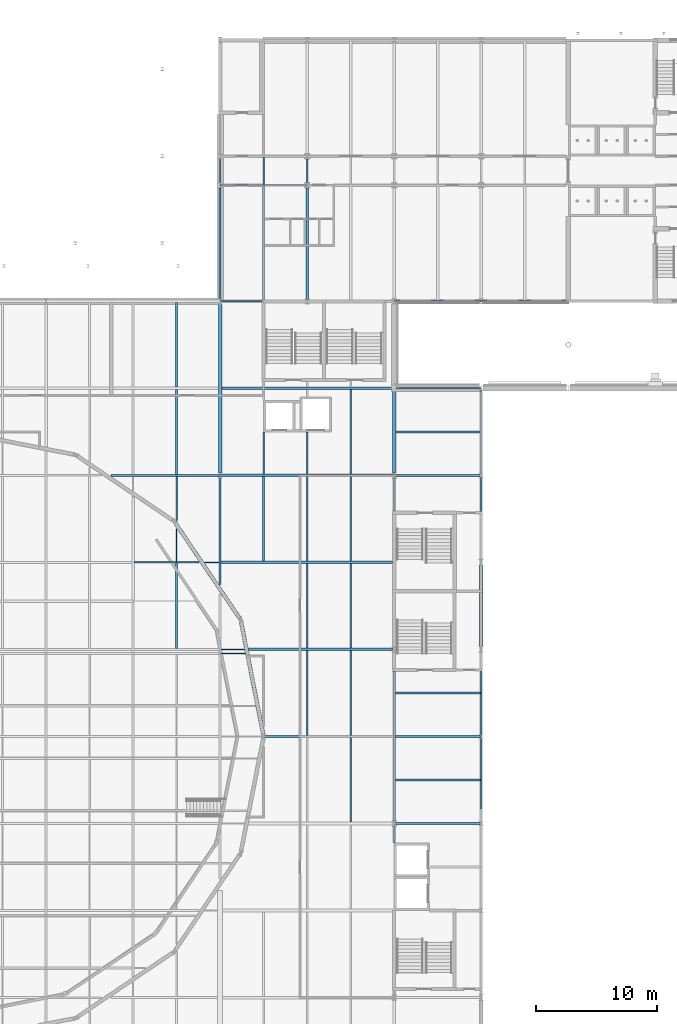
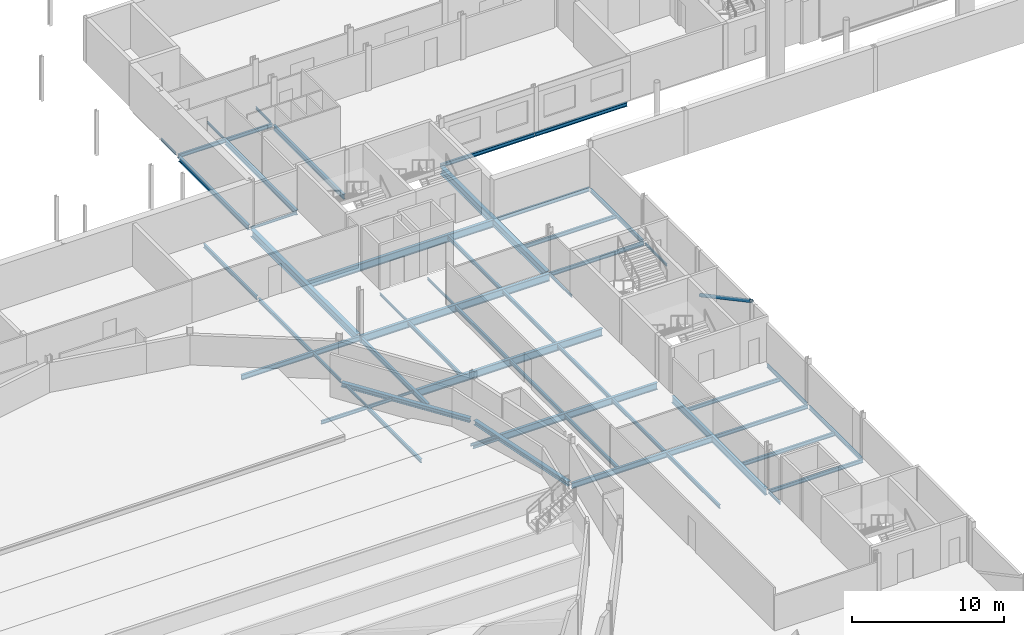
# One storey, part 35 of 90: 55 beams, 1 member.
"""IFC4 building model written with IfcOpenShell, lengths in metres."""

from ifc_helpers import new_model, si_unit, direction, frame, origin, origin_2d, place, context, subcontext, project, spatial, hollow_circle, i_section, extrude, material, material_profile, profile_set, type_object, element, save


model = new_model("IFC4")

# Units and contexts
model_context = context("Model", 3, precision=1e-05, world=origin(), true_north=direction((0.0, 1.0)))
body_context = subcontext(model_context, "Body", "Model", "MODEL_VIEW")
ifc_project = project(units=[si_unit("LENGTHUNIT", "METRE"), si_unit("AREAUNIT", "SQUARE_METRE"), si_unit("VOLUMEUNIT", "CUBIC_METRE"), si_unit("PLANEANGLEUNIT", "RADIAN"), si_unit("MASSUNIT", "GRAM", prefix="KILO")], contexts=[model_context])

# Site, building, storey
site_placement = place(None, origin())
site = spatial("IfcSite", under=ifc_project, at=site_placement, CompositionType="ELEMENT")
building_placement = place(site_placement, origin())
building = spatial("IfcBuilding", under=site, at=building_placement, Name="Kupolbacken Congress Centre", CompositionType="ELEMENT")
storey_placement = place(building_placement, frame((0.0, 0.0, 3.60009765625)))
storey = spatial("IfcBuildingStorey", under=building, at=storey_placement, Name="L01", CompositionType="ELEMENT", Elevation=3.60009765625)

# Beams
ifc_material_1 = material(Name="Steel S355", Category="steel")
ifc_material_profile_1 = material_profile(ifc_material_1, i_section(OverallWidth=0.10009765625, OverallDepth=0.199951171875, WebThickness=0.005615234375, FlangeThickness=0.008544921875, FilletRadius=0.011962890625, at=origin_2d()), Name="IPE 200")
ifc_profile_set_1 = profile_set([ifc_material_profile_1], Name="Steel S355")
beam_type_1 = type_object("IfcBeamType", Name="B01 beam IPE 200", PredefinedType="BEAM", material=ifc_profile_set_1)
beam_1_placement = place(storey_placement, frame((79.199951171875, 77.60009765625, -0.2900390625), z_axis=(0.0, 1.0, 0.0), x_axis=(-1.0, 0.0, 0.0)))
element("IfcBeam", 1, at=beam_1_placement, inside=storey, type_object=beam_type_1, Name="S/floor/P/L01/G034", PredefinedType="BEAM", context=body_context, shape_type="SweptSolid", body=[
    extrude(i_section(OverallWidth=0.10009765625, OverallDepth=0.199951171875, WebThickness=0.005615234375, FlangeThickness=0.008544921875, FilletRadius=0.011962890625, at=origin_2d()), origin(), (0.0, 0.0, 1.0), 1.375),
])
beam_2_placement = place(storey_placement, frame((79.199951171875, 105.050048828125, -0.2900390625), z_axis=(0.0, 1.0, 0.0), x_axis=(-1.0, 0.0, 0.0)))
element("IfcBeam", 2, at=beam_2_placement, inside=storey, type_object=beam_type_1, Name="S/floor/P/L01/G036", PredefinedType="BEAM", context=body_context, shape_type="SweptSolid", body=[
    extrude(i_section(OverallWidth=0.10009765625, OverallDepth=0.199951171875, WebThickness=0.005615234375, FlangeThickness=0.008544921875, FilletRadius=0.011962890625, at=origin_2d()), origin(), (0.0, 0.0, 1.0), 2.724853515625),
])
beam_3_placement = place(storey_placement, frame((63.50927734375, 100.800048828125, -0.2900390625), z_axis=(1.0, 0.0, 0.0), x_axis=(0.0, 1.0, 0.0)))
element("IfcBeam", 3, at=beam_3_placement, inside=storey, type_object=beam_type_1, Name="S/floor/P/L01/R059", PredefinedType="BEAM", context=body_context, shape_type="SweptSolid", body=[
    extrude(i_section(OverallWidth=0.10009765625, OverallDepth=0.199951171875, WebThickness=0.005615234375, FlangeThickness=0.008544921875, FilletRadius=0.011962890625, at=origin_2d()), origin(), (0.0, 0.0, 1.0), 1.20068359375),
])
beam_4_placement = place(storey_placement, frame((64.806884765625, 122.39990234375, -0.2900390625), z_axis=(1.0, 0.0, 0.0), x_axis=(0.0, 1.0, 0.0)))
element("IfcBeam", 4, at=beam_4_placement, inside=storey, type_object=beam_type_1, Name="S/floor/P/L01/R074", PredefinedType="BEAM", context=body_context, shape_type="SweptSolid", body=[
    extrude(i_section(OverallWidth=0.10009765625, OverallDepth=0.199951171875, WebThickness=0.005615234375, FlangeThickness=0.008544921875, FilletRadius=0.011962890625, at=origin_2d()), origin(), (0.0, 0.0, 1.0), 3.468017578125),
])
for number, where, z_axis, x_axis, name in (
    (5, (72.0, 108.110107421875, -0.2900390625), (0.0, 1.0, 0.0), (-1.0, 0.0, 0.0), "S/floor/P/L01/S148"),
    (6, (68.39990234375, 108.110107421875, -0.2900390625), (0.0, 1.0, 0.0), (-1.0, 0.0, 0.0), "S/floor/P/L01/S174"),
):
    element("IfcBeam", number, at=place(storey_placement, frame(where, z_axis=z_axis, x_axis=x_axis)), inside=storey, type_object=beam_type_1, Name=name, PredefinedType="BEAM", context=body_context, shape_type="SweptSolid", body=[
        extrude(i_section(OverallWidth=0.10009765625, OverallDepth=0.199951171875, WebThickness=0.005615234375, FlangeThickness=0.008544921875, FilletRadius=0.011962890625, at=origin_2d()), origin(), (0.0, 0.0, 1.0), 3.489990234375),
    ])
beam_5_placement = place(storey_placement, frame((64.875, 93.60009765625, -0.2900390625), z_axis=(1.0, 0.0, 0.0), x_axis=(0.0, 1.0, 0.0)))
element("IfcBeam", 7, at=beam_5_placement, inside=storey, type_object=beam_type_1, Name="S/floor/PL/L01/R041", PredefinedType="BEAM", context=body_context, shape_type="SweptSolid", body=[
    extrude(i_section(OverallWidth=0.10009765625, OverallDepth=0.199951171875, WebThickness=0.005615234375, FlangeThickness=0.008544921875, FilletRadius=0.011962890625, at=origin_2d()), origin(), (0.0, 0.0, 1.0), 1.944580078125),
])
beam_6_placement = place(storey_placement, frame((64.875, 93.261962890625, -0.2900390625), z_axis=(1.0, 0.0, 0.0), x_axis=(0.0, 1.0, 0.0)))
element("IfcBeam", 8, at=beam_6_placement, inside=storey, type_object=beam_type_1, Name="S/floor/PL/L01/R059", PredefinedType="BEAM", context=body_context, shape_type="SweptSolid", body=[
    extrude(i_section(OverallWidth=0.10009765625, OverallDepth=0.199951171875, WebThickness=0.005615234375, FlangeThickness=0.008544921875, FilletRadius=0.011962890625, at=origin_2d()), origin(), (0.0, 0.0, 1.0), 2.01123046875),
])
beam_7_placement = place(storey_placement, frame((61.199951171875, 100.867431640625, -0.2900390625), z_axis=(0.0, 1.0, 0.0), x_axis=(-1.0, 0.0, 0.0)))
element("IfcBeam", 9, at=beam_7_placement, inside=storey, type_object=beam_type_1, Name="S/floor/PL/L01/S175", PredefinedType="BEAM", context=body_context, shape_type="SweptSolid", body=[
    extrude(i_section(OverallWidth=0.10009765625, OverallDepth=0.199951171875, WebThickness=0.005615234375, FlangeThickness=0.008544921875, FilletRadius=0.011962890625, at=origin_2d()), origin(), (0.0, 0.0, 1.0), 2.69384765625),
])
beam_8_placement = place(storey_placement, frame((86.39990234375, 105.0, -0.280029296875), z_axis=(0.0, 1.0, 0.0), x_axis=(-1.0, 0.0, 0.0)))
element("IfcBeam", 10, at=beam_8_placement, inside=storey, type_object=beam_type_1, Name="S/floor/LINK/L01/E008", PredefinedType="BEAM", context=body_context, shape_type="SweptSolid", body=[
    extrude(i_section(OverallWidth=0.10009765625, OverallDepth=0.199951171875, WebThickness=0.005615234375, FlangeThickness=0.008544921875, FilletRadius=0.011962890625, at=origin_2d()), origin(), (0.0, 0.0, 1.0), 2.85498046875),
])
beam_9_placement = place(storey_placement, frame((64.800048828125, 132.22509765625, -0.280029296875), z_axis=(0.0, 1.0, 0.0), x_axis=(-1.0, 0.0, 0.0)))
element("IfcBeam", 11, at=beam_9_placement, inside=storey, type_object=beam_type_1, Name="S/floor/T/L01/S032", PredefinedType="BEAM", context=body_context, shape_type="SweptSolid", body=[
    extrude(i_section(OverallWidth=0.10009765625, OverallDepth=0.199951171875, WebThickness=0.005615234375, FlangeThickness=0.008544921875, FilletRadius=0.011962890625, at=origin_2d()), origin(), (0.0, 0.0, 1.0), 1.949951171875),
])
beam_10_placement = place(storey_placement, frame((68.39990234375, 132.074951171875, -0.280029296875), z_axis=(0.0, 1.0, 0.0), x_axis=(-1.0, 0.0, 0.0)))
element("IfcBeam", 12, at=beam_10_placement, inside=storey, type_object=beam_type_1, Name="S/floor/T/L01/S035", PredefinedType="BEAM", context=body_context, shape_type="SweptSolid", body=[
    extrude(i_section(OverallWidth=0.10009765625, OverallDepth=0.199951171875, WebThickness=0.005615234375, FlangeThickness=0.008544921875, FilletRadius=0.011962890625, at=origin_2d()), origin(), (0.0, 0.0, 1.0), 2.25),
])
beam_11_placement = place(storey_placement, frame((72.0, 132.21240234375, -0.280029296875), z_axis=(0.0, 1.0, 0.0), x_axis=(-1.0, 0.0, 0.0)))
element("IfcBeam", 13, at=beam_11_placement, inside=storey, type_object=beam_type_1, Name="S/floor/T/L01/S038", PredefinedType="BEAM", context=body_context, shape_type="SweptSolid", body=[
    extrude(i_section(OverallWidth=0.10009765625, OverallDepth=0.199951171875, WebThickness=0.005615234375, FlangeThickness=0.008544921875, FilletRadius=0.011962890625, at=origin_2d()), origin(), (0.0, 0.0, 1.0), 1.97509765625),
])
ifc_material_2 = material(Name="Steel S355", Category="steel")
ifc_material_profile_2 = material_profile(ifc_material_2, i_section(OverallWidth=0.135009765625, OverallDepth=0.27001953125, WebThickness=0.006591796875, FlangeThickness=0.01025390625, FilletRadius=0.014892578125, at=origin_2d()), Name="IPE 270")
ifc_profile_set_2 = profile_set([ifc_material_profile_2], Name="Steel S355")
beam_type_2 = type_object("IfcBeamType", Name="B03 beam IPE 270", PredefinedType="BEAM", material=ifc_profile_set_2)
beam_12_placement = place(storey_placement, frame((61.199951171875, 104.271728515625, -0.3251953125), z_axis=(0.0, 1.0, 0.0), x_axis=(-1.0, 0.0, 0.0)))
element("IfcBeam", 14, at=beam_12_placement, inside=storey, type_object=beam_type_2, Name="S/floor/P/L01/S137", PredefinedType="BEAM", context=body_context, shape_type="SweptSolid", body=[
    extrude(i_section(OverallWidth=0.135009765625, OverallDepth=0.27001953125, WebThickness=0.006591796875, FlangeThickness=0.01025390625, FilletRadius=0.014892578125, at=origin_2d()), origin(), (0.0, 0.0, 1.0), 3.63818359375),
])
beam_13_placement = place(storey_placement, frame((57.675048828125, 100.800048828125, -0.3251953125), z_axis=(1.0, 0.0, 0.0), x_axis=(0.0, 1.0, 0.0)))
element("IfcBeam", 15, at=beam_13_placement, inside=storey, type_object=beam_type_2, Name="S/floor/PL/L01/R047", PredefinedType="BEAM", context=body_context, shape_type="SweptSolid", body=[
    extrude(i_section(OverallWidth=0.135009765625, OverallDepth=0.27001953125, WebThickness=0.006591796875, FlangeThickness=0.01025390625, FilletRadius=0.014892578125, at=origin_2d()), origin(), (0.0, 0.0, 1.0), 5.392822265625),
])
beam_14_placement = place(storey_placement, frame((86.39990234375, 86.544921875, -0.315185546875), z_axis=(0.0, 1.0, 0.0), x_axis=(-1.0, 0.0, 0.0)))
element("IfcBeam", 16, at=beam_14_placement, inside=storey, type_object=beam_type_2, Name="S/floor/LINK/L01/E007", PredefinedType="BEAM", context=body_context, shape_type="SweptSolid", body=[
    extrude(i_section(OverallWidth=0.135009765625, OverallDepth=0.27001953125, WebThickness=0.006591796875, FlangeThickness=0.01025390625, FilletRadius=0.014892578125, at=origin_2d()), origin(), (0.0, 0.0, 1.0), 5.255126953125),
])
ifc_material_3 = material(Name="Steel S355", Category="steel")
ifc_material_profile_3 = material_profile(ifc_material_3, i_section(OverallWidth=0.14990234375, OverallDepth=0.300048828125, WebThickness=0.007080078125, FlangeThickness=0.0107421875, FilletRadius=0.014892578125, at=origin_2d()), Name="IPE 300")
ifc_profile_set_3 = profile_set([ifc_material_profile_3], Name="Steel S355")
beam_type_3 = type_object("IfcBeamType", Name="B04 beam IPE 300", PredefinedType="BEAM", material=ifc_profile_set_3)
beam_15_placement = place(storey_placement, frame((61.199951171875, 108.090087890625, -0.340087890625), z_axis=(0.0, 1.0, 0.0), x_axis=(-1.0, 0.0, 0.0)))
element("IfcBeam", 17, at=beam_15_placement, inside=storey, type_object=beam_type_3, Name="S/floor/P/L01/S138", PredefinedType="BEAM", context=body_context, shape_type="SweptSolid", body=[
    extrude(i_section(OverallWidth=0.14990234375, OverallDepth=0.300048828125, WebThickness=0.007080078125, FlangeThickness=0.0107421875, FilletRadius=0.014892578125, at=origin_2d()), origin(), (0.0, 0.0, 1.0), 7.0),
])
beam_16_placement = place(storey_placement, frame((61.199951171875, 115.31005859375, -0.340087890625), z_axis=(0.0, 1.0, 0.0), x_axis=(-1.0, 0.0, 0.0)))
element("IfcBeam", 18, at=beam_16_placement, inside=storey, type_object=beam_type_3, Name="S/floor/P/L01/S139", PredefinedType="BEAM", context=body_context, shape_type="SweptSolid", body=[
    extrude(i_section(OverallWidth=0.14990234375, OverallDepth=0.300048828125, WebThickness=0.007080078125, FlangeThickness=0.0107421875, FilletRadius=0.014892578125, at=origin_2d()), origin(), (0.0, 0.0, 1.0), 6.97998046875),
])
beam_17_placement = place(storey_placement, frame((72.0, 86.4951171875, -0.340087890625), z_axis=(0.0, 1.0, 0.0), x_axis=(-1.0, 0.0, 0.0)))
element("IfcBeam", 19, at=beam_17_placement, inside=storey, type_object=beam_type_3, Name="S/floor/P/L01/S145", PredefinedType="BEAM", context=body_context, shape_type="SweptSolid", body=[
    extrude(i_section(OverallWidth=0.14990234375, OverallDepth=0.300048828125, WebThickness=0.007080078125, FlangeThickness=0.0107421875, FilletRadius=0.014892578125, at=origin_2d()), origin(), (0.0, 0.0, 1.0), 7.0),
])
beam_18_placement = place(storey_placement, frame((72.0, 93.705078125, -0.340087890625), z_axis=(0.0, 1.0, 0.0), x_axis=(-1.0, 0.0, 0.0)))
element("IfcBeam", 20, at=beam_18_placement, inside=storey, type_object=beam_type_3, Name="S/floor/P/L01/S146", PredefinedType="BEAM", context=body_context, shape_type="SweptSolid", body=[
    extrude(i_section(OverallWidth=0.14990234375, OverallDepth=0.300048828125, WebThickness=0.007080078125, FlangeThickness=0.0107421875, FilletRadius=0.014892578125, at=origin_2d()), origin(), (0.0, 0.0, 1.0), 6.98486328125),
])
beam_19_placement = place(storey_placement, frame((72.0, 100.909912109375, -0.340087890625), z_axis=(0.0, 1.0, 0.0), x_axis=(-1.0, 0.0, 0.0)))
element("IfcBeam", 21, at=beam_19_placement, inside=storey, type_object=beam_type_3, Name="S/floor/P/L01/S147", PredefinedType="BEAM", context=body_context, shape_type="SweptSolid", body=[
    extrude(i_section(OverallWidth=0.14990234375, OverallDepth=0.300048828125, WebThickness=0.007080078125, FlangeThickness=0.0107421875, FilletRadius=0.014892578125, at=origin_2d()), origin(), (0.0, 0.0, 1.0), 6.97998046875),
])
for number, where, z_axis, x_axis, name in (
    (22, (75.60009765625, 79.304931640625, -0.340087890625), (0.0, 1.0, 0.0), (-1.0, 0.0, 0.0), "S/floor/P/L01/S155"),
    (23, (75.60009765625, 86.4951171875, -0.340087890625), (0.0, 1.0, 0.0), (-1.0, 0.0, 0.0), "S/floor/P/L01/S156"),
):
    element("IfcBeam", number, at=place(storey_placement, frame(where, z_axis=z_axis, x_axis=x_axis)), inside=storey, type_object=beam_type_3, Name=name, PredefinedType="BEAM", context=body_context, shape_type="SweptSolid", body=[
        extrude(i_section(OverallWidth=0.14990234375, OverallDepth=0.300048828125, WebThickness=0.007080078125, FlangeThickness=0.0107421875, FilletRadius=0.014892578125, at=origin_2d()), origin(), (0.0, 0.0, 1.0), 7.0),
    ])
beam_20_placement = place(storey_placement, frame((75.60009765625, 93.705078125, -0.340087890625), z_axis=(0.0, 1.0, 0.0), x_axis=(-1.0, 0.0, 0.0)))
element("IfcBeam", 24, at=beam_20_placement, inside=storey, type_object=beam_type_3, Name="S/floor/P/L01/S157", PredefinedType="BEAM", context=body_context, shape_type="SweptSolid", body=[
    extrude(i_section(OverallWidth=0.14990234375, OverallDepth=0.300048828125, WebThickness=0.007080078125, FlangeThickness=0.0107421875, FilletRadius=0.014892578125, at=origin_2d()), origin(), (0.0, 0.0, 1.0), 6.98486328125),
])
for number, where, z_axis, x_axis, name in (
    (25, (75.60009765625, 100.909912109375, -0.340087890625), (0.0, 1.0, 0.0), (-1.0, 0.0, 0.0), "S/floor/P/L01/S158"),
    (26, (75.60009765625, 108.110107421875, -0.340087890625), (0.0, 1.0, 0.0), (-1.0, 0.0, 0.0), "S/floor/P/L01/S159"),
    (27, (68.39990234375, 100.909912109375, -0.340087890625), (0.0, 1.0, 0.0), (-1.0, 0.0, 0.0), "S/floor/P/L01/S173"),
):
    element("IfcBeam", number, at=place(storey_placement, frame(where, z_axis=z_axis, x_axis=x_axis)), inside=storey, type_object=beam_type_3, Name=name, PredefinedType="BEAM", context=body_context, shape_type="SweptSolid", body=[
        extrude(i_section(OverallWidth=0.14990234375, OverallDepth=0.300048828125, WebThickness=0.007080078125, FlangeThickness=0.0107421875, FilletRadius=0.014892578125, at=origin_2d()), origin(), (0.0, 0.0, 1.0), 6.97998046875),
    ])
beam_21_placement = place(storey_placement, frame((61.199951171875, 93.675048828125, -0.340087890625), z_axis=(0.0, 1.0, 0.0), x_axis=(-1.0, 0.0, 0.0)))
element("IfcBeam", 28, at=beam_21_placement, inside=storey, type_object=beam_type_3, Name="S/floor/PL/L01/S174", PredefinedType="BEAM", context=body_context, shape_type="SweptSolid", body=[
    extrude(i_section(OverallWidth=0.14990234375, OverallDepth=0.300048828125, WebThickness=0.007080078125, FlangeThickness=0.0107421875, FilletRadius=0.014892578125, at=origin_2d()), origin(), (0.0, 0.0, 1.0), 7.057373046875),
])
for number, where, z_axis, x_axis, name in (
    (29, (86.39990234375, 79.344970703125, -0.330078125), (0.0, 1.0, 0.0), (-1.0, 0.0, 0.0), "S/floor/LINK/L01/E006"),
    (30, (86.39990234375, 108.14501953125, -0.330078125), (0.0, 1.0, 0.0), (-1.0, 0.0, 0.0), "S/floor/LINK/L01/E009"),
):
    element("IfcBeam", number, at=place(storey_placement, frame(where, z_axis=z_axis, x_axis=x_axis)), inside=storey, type_object=beam_type_3, Name=name, PredefinedType="BEAM", context=body_context, shape_type="SweptSolid", body=[
        extrude(i_section(OverallWidth=0.14990234375, OverallDepth=0.300048828125, WebThickness=0.007080078125, FlangeThickness=0.0107421875, FilletRadius=0.014892578125, at=origin_2d()), origin(), (0.0, 0.0, 1.0), 6.909912109375),
    ])
beam_22_placement = place(storey_placement, frame((79.20703125, 79.199951171875, -0.330078125), z_axis=(1.0, 0.0, 0.0), x_axis=(0.0, 1.0, 0.0)))
element("IfcBeam", 31, at=beam_22_placement, inside=storey, type_object=beam_type_3, Name="S/floor/LINK/L01/R016", PredefinedType="BEAM", context=body_context, shape_type="SweptSolid", body=[
    extrude(i_section(OverallWidth=0.14990234375, OverallDepth=0.300048828125, WebThickness=0.007080078125, FlangeThickness=0.0107421875, FilletRadius=0.014892578125, at=origin_2d()), origin(), (0.0, 0.0, 1.0), 7.188720703125),
])
beam_23_placement = place(storey_placement, frame((79.304931640625, 82.800048828125, -0.330078125), z_axis=(1.0, 0.0, 0.0), x_axis=(0.0, 1.0, 0.0)))
element("IfcBeam", 32, at=beam_23_placement, inside=storey, type_object=beam_type_3, Name="S/floor/LINK/L01/R017", PredefinedType="BEAM", context=body_context, shape_type="SweptSolid", body=[
    extrude(i_section(OverallWidth=0.14990234375, OverallDepth=0.300048828125, WebThickness=0.007080078125, FlangeThickness=0.0107421875, FilletRadius=0.014892578125, at=origin_2d()), origin(), (0.0, 0.0, 1.0), 7.02001953125),
])
beam_24_placement = place(storey_placement, frame((79.304931640625, 86.39990234375, -0.330078125), z_axis=(1.0, 0.0, 0.0), x_axis=(0.0, 1.0, 0.0)))
element("IfcBeam", 33, at=beam_24_placement, inside=storey, type_object=beam_type_3, Name="S/floor/LINK/L01/R018", PredefinedType="BEAM", context=body_context, shape_type="SweptSolid", body=[
    extrude(i_section(OverallWidth=0.14990234375, OverallDepth=0.300048828125, WebThickness=0.007080078125, FlangeThickness=0.0107421875, FilletRadius=0.014892578125, at=origin_2d()), origin(), (0.0, 0.0, 1.0), 7.0908203125),
])
beam_25_placement = place(storey_placement, frame((79.304931640625, 90.0, -0.330078125), z_axis=(1.0, 0.0, 0.0), x_axis=(0.0, 1.0, 0.0)))
element("IfcBeam", 34, at=beam_25_placement, inside=storey, type_object=beam_type_3, Name="S/floor/LINK/L01/R019", PredefinedType="BEAM", context=body_context, shape_type="SweptSolid", body=[
    extrude(i_section(OverallWidth=0.14990234375, OverallDepth=0.300048828125, WebThickness=0.007080078125, FlangeThickness=0.0107421875, FilletRadius=0.014892578125, at=origin_2d()), origin(), (0.0, 0.0, 1.0), 7.027587890625),
])
beam_26_placement = place(storey_placement, frame((79.20703125, 108.0, -0.330078125), z_axis=(1.0, 0.0, 0.0), x_axis=(0.0, 1.0, 0.0)))
element("IfcBeam", 35, at=beam_26_placement, inside=storey, type_object=beam_type_3, Name="S/floor/LINK/L01/R020", PredefinedType="BEAM", context=body_context, shape_type="SweptSolid", body=[
    extrude(i_section(OverallWidth=0.14990234375, OverallDepth=0.300048828125, WebThickness=0.007080078125, FlangeThickness=0.0107421875, FilletRadius=0.014892578125, at=origin_2d()), origin(), (0.0, 0.0, 1.0), 7.188720703125),
])
beam_27_placement = place(storey_placement, frame((79.35009765625, 111.60009765625, -0.330078125), z_axis=(1.0, 0.0, 0.0), x_axis=(0.0, 1.0, 0.0)))
element("IfcBeam", 36, at=beam_27_placement, inside=storey, type_object=beam_type_3, Name="S/floor/LINK/L01/R021", PredefinedType="BEAM", context=body_context, shape_type="SweptSolid", body=[
    extrude(i_section(OverallWidth=0.14990234375, OverallDepth=0.300048828125, WebThickness=0.007080078125, FlangeThickness=0.0107421875, FilletRadius=0.014892578125, at=origin_2d()), origin(), (0.0, 0.0, 1.0), 6.974853515625),
])
beam_28_placement = place(storey_placement, frame((79.35009765625, 115.199951171875, -0.330078125), z_axis=(1.0, 0.0, 0.0), x_axis=(0.0, 1.0, 0.0)))
element("IfcBeam", 37, at=beam_28_placement, inside=storey, type_object=beam_type_3, Name="S/floor/LINK/L01/R022", PredefinedType="BEAM", context=body_context, shape_type="SweptSolid", body=[
    extrude(i_section(OverallWidth=0.14990234375, OverallDepth=0.300048828125, WebThickness=0.007080078125, FlangeThickness=0.0107421875, FilletRadius=0.014892578125, at=origin_2d()), origin(), (0.0, 0.0, 1.0), 7.045654296875),
])
beam_29_placement = place(storey_placement, frame((79.21044921875, 122.39990234375, -0.330078125), z_axis=(1.0, 0.0, 0.0), x_axis=(0.0, 1.0, 0.0)))
element("IfcBeam", 38, at=beam_29_placement, inside=storey, type_object=beam_type_3, Name="S/floor/T/L01/R001", PredefinedType="BEAM", context=body_context, shape_type="SweptSolid", body=[
    extrude(i_section(OverallWidth=0.14990234375, OverallDepth=0.300048828125, WebThickness=0.007080078125, FlangeThickness=0.0107421875, FilletRadius=0.014892578125, at=origin_2d()), origin(), (0.0, 0.0, 1.0), 7.178955078125),
])
beam_30_placement = place(storey_placement, frame((86.410400390625, 122.39990234375, -0.330078125), z_axis=(1.0, 0.0, 0.0), x_axis=(0.0, 1.0, 0.0)))
element("IfcBeam", 39, at=beam_30_placement, inside=storey, type_object=beam_type_3, Name="S/floor/T/L01/R002", PredefinedType="BEAM", context=body_context, shape_type="SweptSolid", body=[
    extrude(i_section(OverallWidth=0.14990234375, OverallDepth=0.300048828125, WebThickness=0.007080078125, FlangeThickness=0.0107421875, FilletRadius=0.014892578125, at=origin_2d()), origin(), (0.0, 0.0, 1.0), 6.989501953125),
])
beam_31_placement = place(storey_placement, frame((64.806884765625, 132.0, -0.330078125), z_axis=(1.0, 0.0, 0.0), x_axis=(0.0, 1.0, 0.0)))
element("IfcBeam", 40, at=beam_31_placement, inside=storey, type_object=beam_type_3, Name="S/floor/T/L01/R007", PredefinedType="BEAM", context=body_context, shape_type="SweptSolid", body=[
    extrude(i_section(OverallWidth=0.14990234375, OverallDepth=0.300048828125, WebThickness=0.007080078125, FlangeThickness=0.0107421875, FilletRadius=0.014892578125, at=origin_2d()), origin(), (0.0, 0.0, 1.0), 7.1767578125),
])
ifc_material_4 = material(Name="Steel S355", Category="steel")
ifc_material_profile_4 = material_profile(ifc_material_4, i_section(OverallWidth=0.179931640625, OverallDepth=0.39990234375, WebThickness=0.008544921875, FlangeThickness=0.013427734375, FilletRadius=0.02099609375, at=origin_2d()), Name="IPE 400")
ifc_profile_set_4 = profile_set([ifc_material_profile_4], Name="Steel S355")
beam_type_4 = type_object("IfcBeamType", Name="B07 beam IPE 400", PredefinedType="BEAM", material=ifc_profile_set_4)
beam_32_placement = place(storey_placement, frame((64.800048828125, 98.970703125, -0.39013671875), z_axis=(0.0, 1.0, 0.0), x_axis=(-1.0, 0.0, 0.0)))
element("IfcBeam", 41, at=beam_32_placement, inside=storey, type_object=beam_type_4, Name="S/floor/P/L01/G030", PredefinedType="BEAM", context=body_context, shape_type="SweptSolid", body=[
    extrude(i_section(OverallWidth=0.179931640625, OverallDepth=0.39990234375, WebThickness=0.008544921875, FlangeThickness=0.013427734375, FilletRadius=0.02099609375, at=origin_2d()), origin(), (0.0, 0.0, 1.0), 8.80419921875),
])
beam_33_placement = place(storey_placement, frame((55.7705078125, 108.0, -0.39013671875), z_axis=(1.0, 0.0, 0.0), x_axis=(0.0, 1.0, 0.0)))
element("IfcBeam", 42, at=beam_33_placement, inside=storey, type_object=beam_type_4, Name="S/floor/P/L01/R063", PredefinedType="BEAM", context=body_context, shape_type="SweptSolid", body=[
    extrude(i_section(OverallWidth=0.179931640625, OverallDepth=0.39990234375, WebThickness=0.008544921875, FlangeThickness=0.013427734375, FilletRadius=0.02099609375, at=origin_2d()), origin(), (0.0, 0.0, 1.0), 9.0224609375),
])
beam_34_placement = place(storey_placement, frame((64.800048828125, 122.625, -0.380126953125), z_axis=(0.0, 1.0, 0.0), x_axis=(-1.0, 0.0, 0.0)))
element("IfcBeam", 43, at=beam_34_placement, inside=storey, type_object=beam_type_4, Name="S/floor/T/L01/S031", PredefinedType="BEAM", context=body_context, shape_type="SweptSolid", body=[
    extrude(i_section(OverallWidth=0.179931640625, OverallDepth=0.39990234375, WebThickness=0.008544921875, FlangeThickness=0.013427734375, FilletRadius=0.02099609375, at=origin_2d()), origin(), (0.0, 0.0, 1.0), 9.14990234375),
])
beam_35_placement = place(storey_placement, frame((68.39990234375, 122.52490234375, -0.380126953125), z_axis=(0.0, 1.0, 0.0), x_axis=(-1.0, 0.0, 0.0)))
element("IfcBeam", 44, at=beam_35_placement, inside=storey, type_object=beam_type_4, Name="S/floor/T/L01/S034", PredefinedType="BEAM", context=body_context, shape_type="SweptSolid", body=[
    extrude(i_section(OverallWidth=0.179931640625, OverallDepth=0.39990234375, WebThickness=0.008544921875, FlangeThickness=0.013427734375, FilletRadius=0.02099609375, at=origin_2d()), origin(), (0.0, 0.0, 1.0), 9.400146484375),
])
beam_36_placement = place(storey_placement, frame((72.0, 122.52490234375, -0.380126953125), z_axis=(0.0, 1.0, 0.0), x_axis=(-1.0, 0.0, 0.0)))
element("IfcBeam", 45, at=beam_36_placement, inside=storey, type_object=beam_type_4, Name="S/floor/T/L01/S037", PredefinedType="BEAM", context=body_context, shape_type="SweptSolid", body=[
    extrude(i_section(OverallWidth=0.179931640625, OverallDepth=0.39990234375, WebThickness=0.008544921875, FlangeThickness=0.013427734375, FilletRadius=0.02099609375, at=origin_2d()), origin(), (0.0, 0.0, 1.0), 9.2626953125),
])
ifc_material_5 = material(Name="Steel S355", Category="steel")
ifc_material_profile_5 = material_profile(ifc_material_5, i_section(OverallWidth=0.18994140625, OverallDepth=0.449951171875, WebThickness=0.009521484375, FlangeThickness=0.0146484375, FilletRadius=0.02099609375, at=origin_2d()), Name="IPE 450")
ifc_profile_set_5 = profile_set([ifc_material_profile_5], Name="Steel S355")
beam_type_5 = type_object("IfcBeamType", Name="B08 beam IPE 450", PredefinedType="BEAM", material=ifc_profile_set_5)
beam_37_placement = place(storey_placement, frame((68.40673828125, 86.39990234375, -0.4150390625), z_axis=(1.0, 0.0, 0.0), x_axis=(0.0, 1.0, 0.0)))
element("IfcBeam", 46, at=beam_37_placement, inside=storey, type_object=beam_type_5, Name="S/floor/P/L01/R054", PredefinedType="BEAM", context=body_context, shape_type="SweptSolid", body=[
    extrude(i_section(OverallWidth=0.18994140625, OverallDepth=0.449951171875, WebThickness=0.009521484375, FlangeThickness=0.0146484375, FilletRadius=0.02099609375, at=origin_2d()), origin(), (0.0, 0.0, 1.0), 10.688232421875),
])
ifc_material_6 = material(Name="Steel S355", Category="steel")
ifc_material_profile_6 = material_profile(ifc_material_6, i_section(OverallWidth=0.2099609375, OverallDepth=0.550048828125, WebThickness=0.010986328125, FlangeThickness=0.01708984375, FilletRadius=0.02392578125, at=origin_2d()), Name="IPE 550")
ifc_profile_set_6 = profile_set([ifc_material_profile_6], Name="Steel S355")
beam_type_6 = type_object("IfcBeamType", Name="B10 beam IPE 550", PredefinedType="BEAM", material=ifc_profile_set_6)
beam_38_placement = place(storey_placement, frame((79.199951171875, 79.425048828125, -0.465087890625), z_axis=(0.0, 1.0, 0.0), x_axis=(-1.0, 0.0, 0.0)))
element("IfcBeam", 47, at=beam_38_placement, inside=storey, type_object=beam_type_6, Name="S/floor/P/L01/G035", PredefinedType="BEAM", context=body_context, shape_type="SweptSolid", body=[
    extrude(i_section(OverallWidth=0.2099609375, OverallDepth=0.550048828125, WebThickness=0.010986328125, FlangeThickness=0.01708984375, FilletRadius=0.02392578125, at=origin_2d()), origin(), (0.0, 0.0, 1.0), 12.349853515625),
])
beam_39_placement = place(storey_placement, frame((67.156005859375, 93.60009765625, -0.465087890625), z_axis=(1.0, 0.0, 0.0), x_axis=(0.0, 1.0, 0.0)))
element("IfcBeam", 48, at=beam_39_placement, inside=storey, type_object=beam_type_6, Name="S/floor/P/L01/R056", PredefinedType="BEAM", context=body_context, shape_type="SweptSolid", body=[
    extrude(i_section(OverallWidth=0.2099609375, OverallDepth=0.550048828125, WebThickness=0.010986328125, FlangeThickness=0.01708984375, FilletRadius=0.02392578125, at=origin_2d()), origin(), (0.0, 0.0, 1.0), 11.9189453125),
])
ifc_material_7 = material(Name="Steel S355", Category="steel")
ifc_material_profile_7 = material_profile(ifc_material_7, i_section(OverallWidth=0.219970703125, OverallDepth=0.60009765625, WebThickness=0.011962890625, FlangeThickness=0.01904296875, FilletRadius=0.02392578125, at=origin_2d()), Name="IPE 600")
ifc_profile_set_7 = profile_set([ifc_material_profile_7], Name="Steel S355")
beam_type_7 = type_object("IfcBeamType", Name="B11 beam IPE 600", PredefinedType="BEAM", material=ifc_profile_set_7)
beam_40_placement = place(storey_placement, frame((64.889892578125, 100.800048828125, -0.489990234375), z_axis=(1.0, 0.0, 0.0), x_axis=(0.0, 1.0, 0.0)))
element("IfcBeam", 49, at=beam_40_placement, inside=storey, type_object=beam_type_7, Name="S/floor/P/L01/R060", PredefinedType="BEAM", context=body_context, shape_type="SweptSolid", body=[
    extrude(i_section(OverallWidth=0.219970703125, OverallDepth=0.60009765625, WebThickness=0.011962890625, FlangeThickness=0.01904296875, FilletRadius=0.02392578125, at=origin_2d()), origin(), (0.0, 0.0, 1.0), 14.16015625),
])
beam_41_placement = place(storey_placement, frame((64.806884765625, 108.0, -0.489990234375), z_axis=(1.0, 0.0, 0.0), x_axis=(0.0, 1.0, 0.0)))
element("IfcBeam", 50, at=beam_41_placement, inside=storey, type_object=beam_type_7, Name="S/floor/P/L01/R064", PredefinedType="BEAM", context=body_context, shape_type="SweptSolid", body=[
    extrude(i_section(OverallWidth=0.219970703125, OverallDepth=0.60009765625, WebThickness=0.011962890625, FlangeThickness=0.01904296875, FilletRadius=0.02392578125, at=origin_2d()), origin(), (0.0, 0.0, 1.0), 14.38623046875),
])
beam_42_placement = place(storey_placement, frame((64.949951171875, 115.199951171875, -0.489990234375), z_axis=(1.0, 0.0, 0.0), x_axis=(0.0, 1.0, 0.0)))
element("IfcBeam", 51, at=beam_42_placement, inside=storey, type_object=beam_type_7, Name="S/floor/P/L01/R069", PredefinedType="BEAM", context=body_context, shape_type="SweptSolid", body=[
    extrude(i_section(OverallWidth=0.219970703125, OverallDepth=0.60009765625, WebThickness=0.011962890625, FlangeThickness=0.01904296875, FilletRadius=0.02392578125, at=origin_2d()), origin(), (0.0, 0.0, 1.0), 14.10009765625),
])
ifc_material_8 = material(Name="Steel S355", Category="steel")
ifc_material_profile_8 = material_profile(ifc_material_8, i_section(OverallWidth=0.300048828125, OverallDepth=0.35009765625, WebThickness=0.010009765625, FlangeThickness=0.017578125, FilletRadius=0.027099609375, at=origin_2d()), Name="HEA 360")
ifc_profile_set_8 = profile_set([ifc_material_profile_8], Name="Steel S355")
beam_type_8 = type_object("IfcBeamType", Name="B13 beam HEA 360", PredefinedType="BEAM", material=ifc_profile_set_8)
beam_43_placement = place(storey_placement, frame((68.360595703125, 86.60009765625, -0.364990234375), z_axis=(-0.193191886678, 0.981160993376, 0.0), x_axis=(-0.981160993376, -0.193191886678, 0.0)))
element("IfcBeam", 52, at=beam_43_placement, inside=storey, type_object=beam_type_8, Name="S/floor/P/L01/C001", PredefinedType="BEAM", context=body_context, shape_type="SweptSolid", body=[
    extrude(i_section(OverallWidth=0.300048828125, OverallDepth=0.35009765625, WebThickness=0.010009765625, FlangeThickness=0.017578125, FilletRadius=0.027099609375, at=origin_2d()), origin(), (0.0, 0.0, 1.0), 9.42724609375),
])
beam_44_placement = place(storey_placement, frame((66.3857421875, 96.21923828125, -0.364990234375), z_axis=(-0.559384311532, 0.828908434034, 0.0), x_axis=(-0.828908434034, -0.559384311532, 0.0)))
element("IfcBeam", 53, at=beam_44_placement, inside=storey, type_object=beam_type_8, Name="S/floor/P/L01/C002", PredefinedType="BEAM", context=body_context, shape_type="SweptSolid", body=[
    extrude(i_section(OverallWidth=0.300048828125, OverallDepth=0.35009765625, WebThickness=0.010009765625, FlangeThickness=0.017578125, FilletRadius=0.027099609375, at=origin_2d()), origin(), (0.0, 0.0, 1.0), 9.424072265625),
])
ifc_material_9 = material(Name="Steel S355", Category="steel")
ifc_material_profile_9 = material_profile(ifc_material_9, i_section(OverallWidth=0.300048828125, OverallDepth=0.60009765625, WebThickness=0.015380859375, FlangeThickness=0.030029296875, FilletRadius=0.027099609375, at=origin_2d()), Name="HEB 600")
ifc_profile_set_9 = profile_set([ifc_material_profile_9], Name="Steel S355")
beam_type_9 = type_object("IfcBeamType", Name="B15 beam HEB 600", PredefinedType="BEAM", material=ifc_profile_set_9)
beam_45_placement = place(storey_placement, frame((64.800048828125, 108.22509765625, -0.489990234375), z_axis=(0.0, 1.0, 0.0), x_axis=(-1.0, 0.0, 0.0)))
element("IfcBeam", 54, at=beam_45_placement, inside=storey, type_object=beam_type_9, Name="S/floor/P/L01/G031", PredefinedType="BEAM", context=body_context, shape_type="SweptSolid", body=[
    extrude(i_section(OverallWidth=0.300048828125, OverallDepth=0.60009765625, WebThickness=0.015380859375, FlangeThickness=0.030029296875, FilletRadius=0.027099609375, at=origin_2d()), origin(), (0.0, 0.0, 1.0), 13.949951171875),
])
beam_46_placement = place(storey_placement, frame((79.199951171875, 108.22509765625, -0.489990234375), z_axis=(0.0, 1.0, 0.0), x_axis=(-1.0, 0.0, 0.0)))
element("IfcBeam", 55, at=beam_46_placement, inside=storey, type_object=beam_type_9, Name="S/floor/P/L01/G037", PredefinedType="BEAM", context=body_context, shape_type="SweptSolid", body=[
    extrude(i_section(OverallWidth=0.300048828125, OverallDepth=0.60009765625, WebThickness=0.015380859375, FlangeThickness=0.030029296875, FilletRadius=0.027099609375, at=origin_2d()), origin(), (0.0, 0.0, 1.0), 13.958984375),
])

# Member
ifc_material_10 = material(Name="Steel S355", Category="steel")
ifc_material_profile_10 = material_profile(ifc_material_10, hollow_circle(Radius=0.136474609375, WallThickness=0.012451171875, at=origin_2d()), Name="CHS 273 x 12.5")
ifc_profile_set_10 = profile_set([ifc_material_profile_10], Name="Steel S355")
member_type = type_object("IfcMemberType", Name="M08 brace CHS 273 x 12.5", PredefinedType="BRACE", material=ifc_profile_set_10)
member_placement = place(storey_placement, frame((86.39990234375, 100.554931640625, 0.0), z_axis=(0.0, -0.881193823646, 0.472755164083), x_axis=(1.0, 0.0, 0.0)))
element("IfcMember", 56, at=member_placement, inside=storey, type_object=member_type, Name="S/brace/W/08/02", PredefinedType="BRACE", context=body_context, shape_type="SweptSolid", body=[
    extrude(hollow_circle(Radius=0.136474609375, WallThickness=0.012451171875, at=origin_2d()), origin(), (0.0, 0.0, 1.0), 7.61474609375),
])

save(model, "model.ifc")
